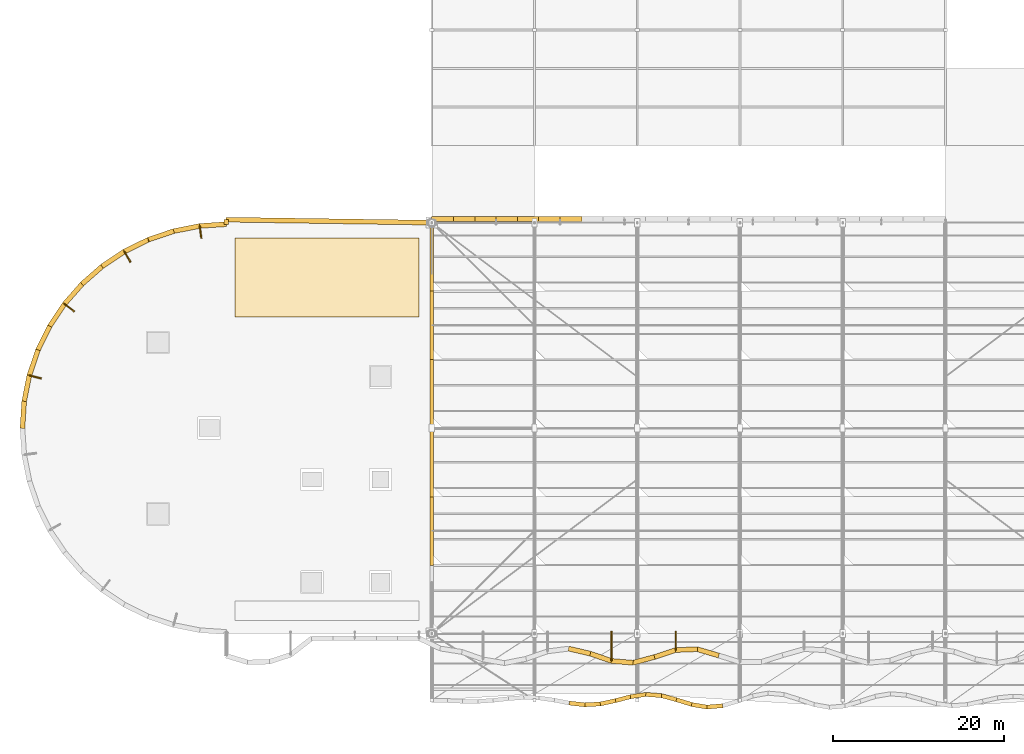
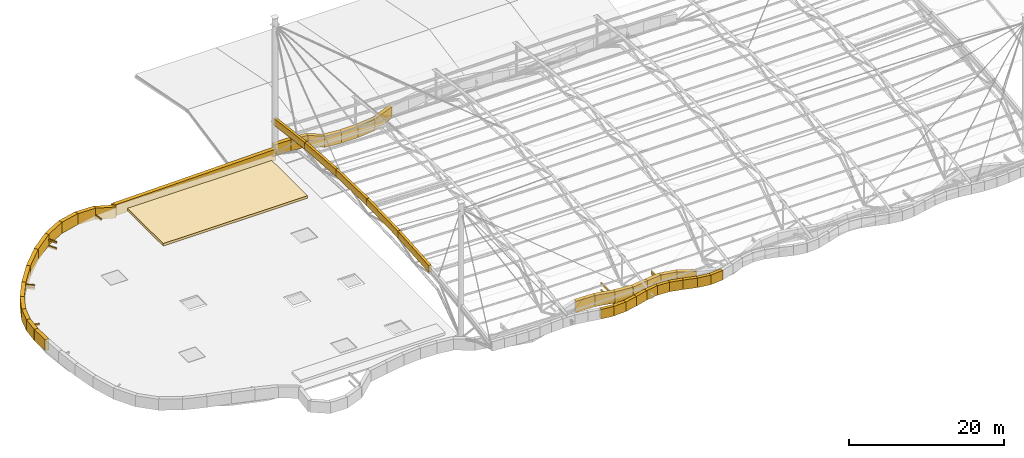
# One storey, part 24 of 29: 54 coverings.
"""IFC4 building model written with IfcOpenShell, lengths in metres."""

import ifcopenshell
import ifcopenshell.guid

model = None  # the IFC model being written
_history = None  # IfcOwnerHistory: only IFC2X3 demands one
_inside = {}  # id of a spatial element -> (the spatial element, [elements in it])
_under = {}  # id of a project, library or spatial element -> (it, [spatial elements below it])
_declared = {}  # id of a project -> (the project, [libraries it declares])
_typed = {}  # id of a type object -> (the type object, [elements of that type])
_made_of = {}  # id of a material, layer set ... -> (it, [elements and type objects made of it])


def new_model(schema):
    """Start an empty IFC model of exactly this schema.

    Asked for "IFC4X3", IfcOpenShell would pick the latest addendum, in which some entities
    have other attributes; the version numbers below select the first issue.
    IFC2X3 requires an IfcOwnerHistory on every rooted entity: one is made here for all.
    """
    global model, _history
    if schema == "IFC4X3":
        model = ifcopenshell.file(schema_version=(4, 3, 0, 0))
    else:
        model = ifcopenshell.file(schema=schema)
    _inside.clear()
    _under.clear()
    _declared.clear()
    _typed.clear()
    _made_of.clear()
    _history = None
    if model.schema == "IFC2X3":
        org = make("IfcOrganization", Name="unknown")
        user = make(
            "IfcPersonAndOrganization",
            ThePerson=make("IfcPerson", FamilyName="unknown"),
            TheOrganization=org,
        )
        app = make(
            "IfcApplication",
            ApplicationDeveloper=org,
            Version="unknown",
            ApplicationFullName="unknown",
            ApplicationIdentifier="unknown",
        )
        _history = make(
            "IfcOwnerHistory",
            OwningUser=user,
            OwningApplication=app,
            ChangeAction="ADDED",
            CreationDate=0,
        )
    return model


def make(cls, **values):
    """One entity of the class cls with the attributes given. An attribute that is None is left unset."""
    return model.create_entity(
        cls, **{name: value for name, value in values.items() if value is not None}
    )


def rooted(cls, **values):
    """An entity with a GlobalId (a new one), such as an element, a storey or a relation."""
    return make(cls, GlobalId=ifcopenshell.guid.new(), OwnerHistory=_history, **values)


def si_unit(unit_type, name, prefix=None):
    """IfcSIUnit, for example si_unit("LENGTHUNIT", "METRE", prefix="MILLI")."""
    return make("IfcSIUnit", UnitType=unit_type, Prefix=prefix, Name=name)


def assignment(units):
    """IfcUnitAssignment: the units of a project."""
    return None if units is None else make("IfcUnitAssignment", Units=units)


def point(xyz):
    """IfcCartesianPoint."""
    return None if xyz is None else make("IfcCartesianPoint", Coordinates=xyz)


def direction(xyz):
    """IfcDirection."""
    return None if xyz is None else make("IfcDirection", DirectionRatios=xyz)


def frame(location, z_axis=None, x_axis=None):
    """IfcAxis2Placement3D, a coordinate frame: its origin and axes. An axis left out is left unset."""
    return make(
        "IfcAxis2Placement3D",
        Location=point(location),
        Axis=direction(z_axis),
        RefDirection=direction(x_axis),
    )


def frame_2d(location, x_axis=None):
    """IfcAxis2Placement2D, a coordinate frame in the plane: its origin and x axis."""
    return make(
        "IfcAxis2Placement2D", Location=point(location), RefDirection=direction(x_axis)
    )


def origin():
    """The frame at (0, 0, 0) with its axes left unset."""
    return frame((0.0, 0.0, 0.0))


def place(relative_to, where):
    """IfcLocalPlacement: puts the frame where relative to a parent placement (None: the world)."""
    return make(
        "IfcLocalPlacement", PlacementRelTo=relative_to, RelativePlacement=where
    )


def context(
    kind, dimensions, precision=None, world=None, true_north=None, identifier=None
):
    """IfcGeometricRepresentationContext, for example the 3D "Model" context."""
    return make(
        "IfcGeometricRepresentationContext",
        ContextIdentifier=identifier,
        ContextType=kind,
        CoordinateSpaceDimension=dimensions,
        Precision=precision,
        WorldCoordinateSystem=world,
        TrueNorth=true_north,
    )


def subcontext(parent, identifier, kind, view, scale=None):
    """IfcGeometricRepresentationSubContext, for example "Body" below "Model"."""
    return make(
        "IfcGeometricRepresentationSubContext",
        ContextIdentifier=identifier,
        ContextType=kind,
        ParentContext=parent,
        TargetScale=scale,
        TargetView=view,
    )


def project(units=None, contexts=None):
    """IfcProject with its units and contexts."""
    return rooted(
        "IfcProject",
        Name="project",
        RepresentationContexts=contexts,
        UnitsInContext=assignment(units),
    )


def spatial(cls, under=None, at=None, **own):
    """A site, building, storey or space (cls), placed at a placement, below another one or the project."""
    s = rooted(cls, ObjectPlacement=at, **own)
    if under is not None:
        _under.setdefault(under.id(), (under, []))[1].append(s)
    return s


def polyline(points):
    """IfcPolyline through the points."""
    return make("IfcPolyline", Points=[point(p) for p in points])


def profile(cls, at=None, kind="AREA", **sizes):
    """A parametric profile (cls). Its sizes go by their IFC names, for example OverallWidth=200.0."""
    return make(cls, ProfileType=kind, Position=at, **sizes)


def rectangle(**sizes):
    """IfcRectangleProfileDef."""
    return profile("IfcRectangleProfileDef", **sizes)


def outline(outer, holes=None, kind="AREA"):
    """IfcArbitraryClosedProfileDef: a profile drawn as a closed curve; with holes, ...WithVoids."""
    if holes is None:
        return make("IfcArbitraryClosedProfileDef", ProfileType=kind, OuterCurve=outer)
    return make(
        "IfcArbitraryProfileDefWithVoids",
        ProfileType=kind,
        OuterCurve=outer,
        InnerCurves=holes,
    )


def extrude(swept, where, along, depth):
    """IfcExtrudedAreaSolid: the profile swept, set in the frame where, extruded along a direction by depth."""
    return make(
        "IfcExtrudedAreaSolid",
        SweptArea=swept,
        Position=where,
        ExtrudedDirection=direction(along),
        Depth=depth,
    )


def shape(context_of_items, identifier, shape_type, items):
    """IfcShapeRepresentation: the items that make up one representation, for example the "Body"."""
    return make(
        "IfcShapeRepresentation",
        ContextOfItems=context_of_items,
        RepresentationIdentifier=identifier,
        RepresentationType=shape_type,
        Items=items,
    )


def material(Name=None, Category=None):
    """IfcMaterial."""
    return make("IfcMaterial", Name=Name, Category=Category)


def layer(
    of_material, thickness, ventilated=None, Name=None, Category=None, Priority=None
):
    """IfcMaterialLayer: one layer of a wall or slab, of a material (None: an air gap)."""
    return make(
        "IfcMaterialLayer",
        Material=of_material,
        LayerThickness=thickness,
        IsVentilated=ventilated,
        Name=Name,
        Category=Category,
        Priority=Priority,
    )


def layer_set(layers, Name=None):
    """IfcMaterialLayerSet."""
    return make("IfcMaterialLayerSet", MaterialLayers=layers, LayerSetName=Name)


def made_of(thing, what):
    """Note that an element or type object is made of a material, layer set ...; save() writes the relation."""
    if what is not None:
        _made_of.setdefault(what.id(), (what, []))[1].append(thing)
    return thing


def type_object(cls, material=None, **own):
    """A type object (cls), such as IfcWallType, which elements share."""
    return made_of(rooted(cls, **own), material)


def element(
    cls,
    number,
    at=None,
    inside=None,
    cuts=None,
    type_object=None,
    material=None,
    context=None,
    identifier="Body",
    shape_type=None,
    held_by="IfcProductDefinitionShape",
    body=None,
    shapes=None,
    **own,
):
    """One element of the class cls, such as IfcWall. Its Tag is "e" and its number.

    at: its placement. inside: the storey or other place that contains it. cuts: it is an
    opening in that element (IfcRelVoidsElement). A single representation is given by context,
    identifier, shape_type and body (its items); several are given by shapes. held_by: the class
    of the entity that holds the representations. save() writes the other relations.
    """
    e = rooted(cls, Tag="e%d" % number, ObjectPlacement=at, **own)
    if body is not None:
        shapes = [shape(context, identifier, shape_type, body)]
    if shapes is not None:
        e.Representation = make(held_by, Representations=shapes)
    if inside is not None:
        _inside.setdefault(inside.id(), (inside, []))[1].append(e)
    if cuts is not None:
        rooted(
            "IfcRelVoidsElement", RelatingBuildingElement=cuts, RelatedOpeningElement=e
        )
    if type_object is not None:
        _typed.setdefault(type_object.id(), (type_object, []))[1].append(e)
    return made_of(e, material)


def aggregate(whole, parts):
    """IfcRelAggregates: a whole, such as a stair, and the parts it consists of."""
    return rooted("IfcRelAggregates", RelatingObject=whole, RelatedObjects=parts)


def save(model, path):
    """Write the relations noted so far, then the file.

    IfcRelAggregates (storeys below a building ...), IfcRelContainedInSpatialStructure (elements
    in a storey), IfcRelDefinesByType, IfcRelAssociatesMaterial and IfcRelDeclares: one each for
    every whole, place, type object, material and project.
    """
    for whole, parts in _under.values():
        aggregate(whole, parts)
    for where, things in _inside.values():
        rooted(
            "IfcRelContainedInSpatialStructure",
            RelatedElements=things,
            RelatingStructure=where,
        )
    for kind, things in _typed.values():
        rooted("IfcRelDefinesByType", RelatedObjects=things, RelatingType=kind)
    for what, things in _made_of.values():
        rooted("IfcRelAssociatesMaterial", RelatedObjects=things, RelatingMaterial=what)
    for by, libraries in _declared.values():
        rooted("IfcRelDeclares", RelatingContext=by, RelatedDefinitions=libraries)
    model.write(path)


model = new_model("IFC4")

# Units and contexts
model_context = context("Model", 3, precision=1e-05, world=origin(), true_north=direction((0.0, 1.0)))
body_context = subcontext(model_context, "Body", "Model", "MODEL_VIEW")
ifc_project = project(units=[si_unit("LENGTHUNIT", "METRE"), si_unit("AREAUNIT", "SQUARE_METRE"), si_unit("VOLUMEUNIT", "CUBIC_METRE"), si_unit("PLANEANGLEUNIT", "RADIAN"), si_unit("MASSUNIT", "GRAM", prefix="KILO")], contexts=[model_context])

# Site, building, storey
site_placement = place(None, origin())
site = spatial("IfcSite", under=ifc_project, at=site_placement, CompositionType="ELEMENT")
building_placement = place(site_placement, origin())
building = spatial("IfcBuilding", under=site, at=building_placement, Name="Keelwater Ferry Terminal", CompositionType="ELEMENT")
storey_placement = place(building_placement, frame((0.0, 0.0, 27.89990234375)))
storey = spatial("IfcBuildingStorey", under=building, at=storey_placement, Name="RF", CompositionType="ELEMENT", Elevation=27.89990234375)

# Coverings
ifc_material_1 = material(Name="Planted sedum green roof substrate", Category="earth")
ifc_layer_1 = layer(ifc_material_1, 0.39990234375)
ifc_layer_set_1 = layer_set([ifc_layer_1], Name="Planted sedum green roof substrate")
covering_type_1 = type_object("IfcCoveringType", Name="GR-BED Planted Green Roof Bed", PredefinedType="ROOFING", material=ifc_layer_set_1)
covering_1_placement = place(storey_placement, frame((0.0, 0.0, -12.89990234375)))
element("IfcCovering", 1, at=covering_1_placement, inside=storey, type_object=covering_type_1, Name="Planted Green Roof Bed 2", PredefinedType="ROOFING", context=body_context, shape_type="SweptSolid", body=[
    extrude(outline(polyline([(25.0, 79.0), (46.5, 79.0), (46.5, 88.199951171875), (25.0, 88.199951171875), (25.0, 79.0)])), origin(), (0.0, 0.0, 1.0), 0.39990234375),
])
ifc_material_2 = material(Name="Matte white architectural aluminium fascia ribbon", Category="aluminium")
ifc_layer_2 = layer(ifc_material_2, 0.1201171875)
ifc_layer_set_2 = layer_set([ifc_layer_2], Name="Matte white architectural aluminium fascia ribbon")
covering_type_2 = type_object("IfcCoveringType", Name="RB-WHT Matte White Fascia Ribbon", PredefinedType="CLADDING", material=ifc_layer_set_2)
covering_2_placement = place(storey_placement, frame((65.52490234375, 90.419921875, -14.704833984375), z_axis=(0.0, 0.0, 1.0), x_axis=(-1.0, 0.0, 0.0)))
element("IfcCovering", 2, at=covering_2_placement, inside=storey, type_object=covering_type_2, Name="Overhanging Roof-Edge Wave Fascia Ribbon 114", PredefinedType="CLADDING", context=body_context, shape_type="SweptSolid", body=[
    extrude(outline(polyline([(0.0, 1.054931640625), (2.5498046875, 0.0), (2.5498046875, 1.75), (0.0, 2.804931640625), (0.0, 1.054931640625)])), frame((0.0, 0.280029296875, 0.0), z_axis=(0.0, -1.0, 0.0), x_axis=(1.0, 0.0, 0.0)), (0.0, 0.0, 1.0), 0.56005859375),
])
covering_3_placement = place(storey_placement, frame((63.02490234375, 90.419921875, -14.9658203125), z_axis=(0.0, 0.0, 1.0), x_axis=(-1.0, 0.0, 0.0)))
element("IfcCovering", 3, at=covering_3_placement, inside=storey, type_object=covering_type_2, Name="Overhanging Roof-Edge Wave Fascia Ribbon 118", PredefinedType="CLADDING", context=body_context, shape_type="SweptSolid", body=[
    extrude(outline(polyline([(0.0, 0.260986328125), (2.5498046875, 0.0), (2.5498046875, 1.75), (0.0, 2.010986328125), (0.0, 0.260986328125)])), frame((0.0, 0.280029296875, 0.0), z_axis=(0.0, -1.0, 0.0), x_axis=(1.0, 0.0, 0.0)), (0.0, 0.0, 1.0), 0.56005859375),
])
covering_4_placement = place(storey_placement, frame((60.52490234375, 90.419921875, -14.992919921875), z_axis=(0.0, 0.0, 1.0), x_axis=(-1.0, 0.0, 0.0)))
element("IfcCovering", 4, at=covering_4_placement, inside=storey, type_object=covering_type_2, Name="Overhanging Roof-Edge Wave Fascia Ribbon 129", PredefinedType="CLADDING", context=body_context, shape_type="SweptSolid", body=[
    extrude(outline(polyline([(0.0, 0.027099609375), (2.5498046875, 0.0), (2.5498046875, 1.75), (0.0, 1.777099609375), (0.0, 0.027099609375)])), frame((0.0, 0.280029296875, 0.0), z_axis=(0.0, -1.0, 0.0), x_axis=(1.0, 0.0, 0.0)), (0.0, 0.0, 1.0), 0.56005859375),
])
covering_5_placement = place(storey_placement, frame((58.02490234375, 90.419921875, -14.992919921875), z_axis=(0.0, 0.0, 1.0), x_axis=(-1.0, 0.0, 0.0)))
element("IfcCovering", 5, at=covering_5_placement, inside=storey, type_object=covering_type_2, Name="Overhanging Roof-Edge Wave Fascia Ribbon 133", PredefinedType="CLADDING", context=body_context, shape_type="SweptSolid", body=[
    extrude(outline(polyline([(0.0, 0.0), (2.5498046875, 0.213134765625), (2.5498046875, 1.963134765625), (0.0, 1.75), (0.0, 0.0)])), frame((0.0, 0.280029296875, 0.0), z_axis=(0.0, -1.0, 0.0), x_axis=(1.0, 0.0, 0.0)), (0.0, 0.0, 1.0), 0.56005859375),
])
covering_6_placement = place(storey_placement, frame((55.52490234375, 90.419921875, -14.77978515625), z_axis=(0.0, 0.0, 1.0), x_axis=(-1.0, 0.0, 0.0)))
element("IfcCovering", 6, at=covering_6_placement, inside=storey, type_object=covering_type_2, Name="Overhanging Roof-Edge Wave Fascia Ribbon 137", PredefinedType="CLADDING", context=body_context, shape_type="SweptSolid", body=[
    extrude(outline(polyline([(0.0, 0.0), (2.5498046875, 1.0048828125), (2.5498046875, 2.7548828125), (0.0, 1.75), (0.0, 0.0)])), frame((0.0, 0.280029296875, 0.0), z_axis=(0.0, -1.0, 0.0), x_axis=(1.0, 0.0, 0.0)), (0.0, 0.0, 1.0), 0.56005859375),
])
covering_7_placement = place(storey_placement, frame((53.02490234375, 90.419921875, -13.77490234375), z_axis=(0.0, 0.0, 1.0), x_axis=(-1.0, 0.0, 0.0)))
element("IfcCovering", 7, at=covering_7_placement, inside=storey, type_object=covering_type_2, Name="Overhanging Roof-Edge Wave Fascia Ribbon 149", PredefinedType="CLADDING", context=body_context, shape_type="SweptSolid", body=[
    extrude(outline(polyline([(0.0, 0.0), (2.5498046875, 0.2041015625), (2.5498046875, 1.9541015625), (0.0, 1.75), (0.0, 0.0)])), frame((0.0, 0.280029296875, 0.0), z_axis=(0.0, -1.0, 0.0), x_axis=(1.0, 0.0, 0.0)), (0.0, 0.0, 1.0), 0.56005859375),
])
covering_8_placement = place(storey_placement, frame((50.52490234375, 90.419921875, -13.57080078125), z_axis=(0.0, 0.0, 1.0), x_axis=(-1.0, 0.0, 0.0)))
element("IfcCovering", 8, at=covering_8_placement, inside=storey, type_object=covering_type_2, Name="Overhanging Roof-Edge Wave Fascia Ribbon 153", PredefinedType="CLADDING", context=body_context, shape_type="SweptSolid", body=[
    extrude(outline(polyline([(0.0, 0.0), (2.5498046875, 0.031982421875), (2.5498046875, 1.781982421875), (0.0, 1.75), (0.0, 0.0)])), frame((0.0, 0.280029296875, 0.0), z_axis=(0.0, -1.0, 0.0), x_axis=(1.0, 0.0, 0.0)), (0.0, 0.0, 1.0), 0.56005859375),
])
covering_9_placement = place(storey_placement, frame((48.02490234375, 90.0, -14.621826171875), z_axis=(0.0, 0.0, 1.0), x_axis=(-0.999894060898, 0.014555651148, 0.0)))
element("IfcCovering", 9, at=covering_9_placement, inside=storey, type_object=covering_type_2, Name="Overhanging Roof-Edge Wave Fascia Ribbon 154", PredefinedType="CLADDING", context=body_context, shape_type="SweptSolid", body=[
    extrude(outline(polyline([(0.0, 0.7109375), (24.05224609375, 0.0), (24.05224609375, 1.75), (0.0, 2.4609375), (0.0, 0.7109375)])), frame((0.0, 0.280029296875, 0.0), z_axis=(0.0, -1.0, 0.0), x_axis=(1.0, 0.0, 0.0)), (0.0, 0.0, 1.0), 0.56005859375),
])
covering_10_placement = place(storey_placement, frame((24.0, 90.375, -14.621826171875), z_axis=(0.0, 0.0, 1.0), x_axis=(0.0, -1.0, 0.0)))
element("IfcCovering", 10, at=covering_10_placement, inside=storey, type_object=covering_type_2, Name="Overhanging Roof-Edge Wave Fascia Ribbon 158", PredefinedType="CLADDING", context=body_context, shape_type="SweptSolid", body=[
    extrude(outline(polyline([(0.0, 0.0), (0.580078125, 0.075927734375), (0.580078125, 1.825927734375), (0.0, 1.75), (0.0, 0.0)])), frame((0.0, 0.280029296875, 0.0), z_axis=(0.0, -1.0, 0.0), x_axis=(1.0, 0.0, 0.0)), (0.0, 0.0, 1.0), 0.56005859375),
])
covering_11_placement = place(storey_placement, frame((24.02490234375, 89.822021484375, -14.5458984375), z_axis=(0.0, 0.0, 1.0), x_axis=(-0.997839082041, -0.065705147067, 0.0)))
element("IfcCovering", 11, at=covering_11_placement, inside=storey, type_object=covering_type_2, Name="Overhanging Roof-Edge Wave Fascia Ribbon 162", PredefinedType="CLADDING", context=body_context, shape_type="SweptSolid", body=[
    extrude(outline(polyline([(0.0, 0.0), (3.165771484375, 1.029052734375), (3.165771484375, 2.779052734375), (0.0, 1.75), (0.0, 0.0)])), frame((0.0, 0.280029296875, 0.0), z_axis=(0.0, -1.0, 0.0), x_axis=(1.0, 0.0, 0.0)), (0.0, 0.0, 1.0), 0.56005859375),
])
covering_12_placement = place(storey_placement, frame((20.916015625, 89.62109375, -13.516845703125), z_axis=(0.0, 0.0, 1.0), x_axis=(-0.98076407959, -0.195196875454, 0.0)))
element("IfcCovering", 12, at=covering_12_placement, inside=storey, type_object=covering_type_2, Name="Overhanging Roof-Edge Wave Fascia Ribbon 166", PredefinedType="CLADDING", context=body_context, shape_type="SweptSolid", body=[
    extrude(outline(polyline([(0.0, 0.0), (3.1669921875, 0.557861328125), (3.1669921875, 2.307861328125), (0.0, 1.75), (0.0, 0.0)])), frame((0.0, 0.280029296875, 0.0), z_axis=(0.0, -1.0, 0.0), x_axis=(1.0, 0.0, 0.0)), (0.0, 0.0, 1.0), 0.56005859375),
])
covering_13_placement = place(storey_placement, frame((20.89111328125, 89.615966796875, -13.119873046875), z_axis=(0.0, 0.0, 1.0), x_axis=(0.130289043397, -0.991476053756, 0.0)))
element("IfcCovering", 13, at=covering_13_placement, inside=storey, type_object=covering_type_2, Name="Ribbon Roof Eave Tie Bracket 172", PredefinedType="CLADDING", context=body_context, shape_type="SweptSolid", body=[
    extrude(rectangle(XDim=1.450439453125, YDim=0.159912109375, at=frame_2d((0.72509765625, 0.0))), origin(), (0.0, 0.0, 1.0), 0.340087890625),
])
covering_14_placement = place(storey_placement, frame((17.85888671875, 89.01611328125, -12.958984375), z_axis=(0.0, 0.0, 1.0), x_axis=(-0.94701262585, -0.321196336342, 0.0)))
element("IfcCovering", 14, at=covering_14_placement, inside=storey, type_object=covering_type_2, Name="Overhanging Roof-Edge Wave Fascia Ribbon 177", PredefinedType="CLADDING", context=body_context, shape_type="SweptSolid", body=[
    extrude(outline(polyline([(0.0, 0.0), (3.16650390625, 0.273193359375), (3.16650390625, 2.023193359375), (0.0, 1.75), (0.0, 0.0)])), frame((0.0, 0.280029296875, 0.0), z_axis=(0.0, -1.0, 0.0), x_axis=(1.0, 0.0, 0.0)), (0.0, 0.0, 1.0), 0.56005859375),
])
covering_15_placement = place(storey_placement, frame((14.906005859375, 88.01806640625, -12.785888671875), z_axis=(0.0, 0.0, 1.0), x_axis=(-0.896790782987, -0.442454846905, 0.0)))
element("IfcCovering", 15, at=covering_15_placement, inside=storey, type_object=covering_type_2, Name="Overhanging Roof-Edge Wave Fascia Ribbon 181", PredefinedType="CLADDING", context=body_context, shape_type="SweptSolid", body=[
    extrude(outline(polyline([(0.0, 0.10009765625), (3.16455078125, 0.0), (3.16455078125, 1.75), (0.0, 1.85009765625), (0.0, 0.10009765625)])), frame((0.0, 0.280029296875, 0.0), z_axis=(0.0, -1.0, 0.0), x_axis=(1.0, 0.0, 0.0)), (0.0, 0.0, 1.0), 0.56005859375),
])
covering_16_placement = place(storey_placement, frame((12.111083984375, 86.64306640625, -13.21484375), z_axis=(0.0, 0.0, 1.0), x_axis=(-0.831516144614, -0.55550058618, 0.0)))
element("IfcCovering", 16, at=covering_16_placement, inside=storey, type_object=covering_type_2, Name="Overhanging Roof-Edge Wave Fascia Ribbon 185", PredefinedType="CLADDING", context=body_context, shape_type="SweptSolid", body=[
    extrude(outline(polyline([(0.0, 0.428955078125), (3.16650390625, 0.0), (3.16650390625, 1.75), (0.0, 2.178955078125), (0.0, 0.428955078125)])), frame((0.0, 0.280029296875, 0.0), z_axis=(0.0, -1.0, 0.0), x_axis=(1.0, 0.0, 0.0)), (0.0, 0.0, 1.0), 0.56005859375),
])
covering_17_placement = place(storey_placement, frame((12.090087890625, 86.62890625, -12.05078125), z_axis=(0.0, 0.0, 1.0), x_axis=(0.499887636653, -0.866090267075, 0.0)))
element("IfcCovering", 17, at=covering_17_placement, inside=storey, type_object=covering_type_2, Name="Ribbon Horizontal Tie Bracket 188", PredefinedType="CLADDING", context=body_context, shape_type="SweptSolid", body=[
    extrude(rectangle(XDim=1.449951171875, YDim=0.159912109375, at=frame_2d((0.72509765625, 0.0))), origin(), (0.0, 0.0, 1.0), 0.27978515625),
])
covering_18_placement = place(storey_placement, frame((12.090087890625, 86.62890625, -13.119873046875), z_axis=(0.0, 0.0, 1.0), x_axis=(0.499887636653, -0.866090267075, 0.0)))
element("IfcCovering", 18, at=covering_18_placement, inside=storey, type_object=covering_type_2, Name="Ribbon Roof Eave Tie Bracket 191", PredefinedType="CLADDING", context=body_context, shape_type="SweptSolid", body=[
    extrude(rectangle(XDim=1.449951171875, YDim=0.159912109375, at=frame_2d((0.72509765625, 0.0))), origin(), (0.0, 0.0, 1.0), 0.340087890625),
])
covering_19_placement = place(storey_placement, frame((9.51806640625, 84.9140625, -13.781005859375), z_axis=(0.0, 0.0, 1.0), x_axis=(-0.75186441018, -0.65931776004, 0.0)))
element("IfcCovering", 19, at=covering_19_placement, inside=storey, type_object=covering_type_2, Name="Overhanging Roof-Edge Wave Fascia Ribbon 196", PredefinedType="CLADDING", context=body_context, shape_type="SweptSolid", body=[
    extrude(outline(polyline([(0.0, 0.566162109375), (3.16552734375, 0.0), (3.16552734375, 1.75), (0.0, 2.316162109375), (0.0, 0.566162109375)])), frame((0.0, 0.280029296875, 0.0), z_axis=(0.0, -1.0, 0.0), x_axis=(1.0, 0.0, 0.0)), (0.0, 0.0, 1.0), 0.56005859375),
])
covering_20_placement = place(storey_placement, frame((7.173095703125, 82.862060546875, -14.23388671875), z_axis=(0.0, 0.0, 1.0), x_axis=(-0.65931776004, -0.75186441018, 0.0)))
element("IfcCovering", 20, at=covering_20_placement, inside=storey, type_object=covering_type_2, Name="Overhanging Roof-Edge Wave Fascia Ribbon 200", PredefinedType="CLADDING", context=body_context, shape_type="SweptSolid", body=[
    extrude(outline(polyline([(0.0, 0.452880859375), (3.16552734375, 0.0), (3.16552734375, 1.75), (0.0, 2.202880859375), (0.0, 0.452880859375)])), frame((0.0, 0.280029296875, 0.0), z_axis=(0.0, -1.0, 0.0), x_axis=(1.0, 0.0, 0.0)), (0.0, 0.0, 1.0), 0.56005859375),
])
covering_21_placement = place(storey_placement, frame((5.115966796875, 80.52197265625, -14.370849609375), z_axis=(0.0, 0.0, 1.0), x_axis=(-0.55550058618, -0.831516144614, 0.0)))
element("IfcCovering", 21, at=covering_21_placement, inside=storey, type_object=covering_type_2, Name="Overhanging Roof-Edge Wave Fascia Ribbon 204", PredefinedType="CLADDING", context=body_context, shape_type="SweptSolid", body=[
    extrude(outline(polyline([(0.0, 0.136962890625), (3.16650390625, 0.0), (3.16650390625, 1.75), (0.0, 1.886962890625), (0.0, 0.136962890625)])), frame((0.0, 0.280029296875, 0.0), z_axis=(0.0, -1.0, 0.0), x_axis=(1.0, 0.0, 0.0)), (0.0, 0.0, 1.0), 0.56005859375),
])
covering_22_placement = place(storey_placement, frame((5.10205078125, 80.5009765625, -13.4990234375), z_axis=(0.0, 0.0, 1.0), x_axis=(0.793118257484, -0.609067672467, 0.0)))
element("IfcCovering", 22, at=covering_22_placement, inside=storey, type_object=covering_type_2, Name="Ribbon Horizontal Tie Bracket 208", PredefinedType="CLADDING", context=body_context, shape_type="SweptSolid", body=[
    extrude(rectangle(XDim=1.449951171875, YDim=0.159912109375, at=frame_2d((0.72509765625, 0.0))), origin(), (0.0, 0.0, 1.0), 0.280029296875),
])
covering_23_placement = place(storey_placement, frame((5.10205078125, 80.5009765625, -13.119873046875), z_axis=(0.0, 0.0, 1.0), x_axis=(0.793118257484, -0.609067672467, 0.0)))
element("IfcCovering", 23, at=covering_23_placement, inside=storey, type_object=covering_type_2, Name="Ribbon Roof Eave Tie Bracket 211", PredefinedType="CLADDING", context=body_context, shape_type="SweptSolid", body=[
    extrude(rectangle(XDim=1.449951171875, YDim=0.159912109375, at=frame_2d((0.72509765625, 0.0))), origin(), (0.0, 0.0, 1.0), 0.340087890625),
])
covering_24_placement = place(storey_placement, frame((3.382080078125, 77.931884765625, -14.370849609375), z_axis=(0.0, 0.0, 1.0), x_axis=(-0.442454846905, -0.896790782987, 0.0)))
element("IfcCovering", 24, at=covering_24_placement, inside=storey, type_object=covering_type_2, Name="Overhanging Roof-Edge Wave Fascia Ribbon 216", PredefinedType="CLADDING", context=body_context, shape_type="SweptSolid", body=[
    extrude(outline(polyline([(0.0, 0.0), (3.16455078125, 0.238037109375), (3.16455078125, 1.988037109375), (0.0, 1.75), (0.0, 0.0)])), frame((0.0, 0.280029296875, 0.0), z_axis=(0.0, -1.0, 0.0), x_axis=(1.0, 0.0, 0.0)), (0.0, 0.0, 1.0), 0.56005859375),
])
covering_25_placement = place(storey_placement, frame((2.0009765625, 75.139892578125, -14.1328125), z_axis=(0.0, 0.0, 1.0), x_axis=(-0.321196336342, -0.94701262585, 0.0)))
element("IfcCovering", 25, at=covering_25_placement, inside=storey, type_object=covering_type_2, Name="Overhanging Roof-Edge Wave Fascia Ribbon 220", PredefinedType="CLADDING", context=body_context, shape_type="SweptSolid", body=[
    extrude(outline(polyline([(0.0, 0.0), (3.16650390625, 0.5087890625), (3.16650390625, 2.2587890625), (0.0, 1.75), (0.0, 0.0)])), frame((0.0, 0.280029296875, 0.0), z_axis=(0.0, -1.0, 0.0), x_axis=(1.0, 0.0, 0.0)), (0.0, 0.0, 1.0), 0.56005859375),
])
covering_26_placement = place(storey_placement, frame((0.9970703125, 72.18994140625, -13.6240234375), z_axis=(0.0, 0.0, 1.0), x_axis=(-0.195196875454, -0.98076407959, 0.0)))
element("IfcCovering", 26, at=covering_26_placement, inside=storey, type_object=covering_type_2, Name="Overhanging Roof-Edge Wave Fascia Ribbon 224", PredefinedType="CLADDING", context=body_context, shape_type="SweptSolid", body=[
    extrude(outline(polyline([(0.0, 0.0), (3.1669921875, 0.55322265625), (3.1669921875, 2.30322265625), (0.0, 1.75), (0.0, 0.0)])), frame((0.0, 0.280029296875, 0.0), z_axis=(0.0, -1.0, 0.0), x_axis=(1.0, 0.0, 0.0)), (0.0, 0.0, 1.0), 0.56005859375),
])
covering_27_placement = place(storey_placement, frame((0.991943359375, 72.1650390625, -13.119873046875), z_axis=(0.0, 0.0, 1.0), x_axis=(0.965999865875, -0.258542567344, 0.0)))
element("IfcCovering", 27, at=covering_27_placement, inside=storey, type_object=covering_type_2, Name="Ribbon Roof Eave Tie Bracket 229", PredefinedType="CLADDING", context=body_context, shape_type="SweptSolid", body=[
    extrude(rectangle(XDim=1.450439453125, YDim=0.159912109375, at=frame_2d((0.72509765625, 0.0))), origin(), (0.0, 0.0, 1.0), 0.340087890625),
])
covering_28_placement = place(storey_placement, frame((0.385986328125, 69.134033203125, -13.07080078125), z_axis=(0.0, 0.0, 1.0), x_axis=(-0.065705147067, -0.997839082041, 0.0)))
element("IfcCovering", 28, at=covering_28_placement, inside=storey, type_object=covering_type_2, Name="Overhanging Roof-Edge Wave Fascia Ribbon 234", PredefinedType="CLADDING", context=body_context, shape_type="SweptSolid", body=[
    extrude(outline(polyline([(0.0, 0.0), (3.165771484375, 0.350830078125), (3.165771484375, 2.100830078125), (0.0, 1.75), (0.0, 0.0)])), frame((0.0, 0.280029296875, 0.0), z_axis=(0.0, -1.0, 0.0), x_axis=(1.0, 0.0, 0.0)), (0.0, 0.0, 1.0), 0.56005859375),
])
covering_29_placement = place(storey_placement, frame((63.97607421875, 40.242919921875, -13.326904296875), z_axis=(0.0, 0.0, 1.0), x_axis=(0.973966350755, -0.226692628017, 0.0)))
element("IfcCovering", 29, at=covering_29_placement, inside=storey, type_object=covering_type_2, Name="Overhanging Roof-Edge Wave Fascia Ribbon 390", PredefinedType="CLADDING", context=body_context, shape_type="SweptSolid", body=[
    extrude(outline(polyline([(0.0, 0.0), (2.615966796875, 0.408935546875), (2.615966796875, 2.158935546875), (0.0, 1.75), (0.0, 0.0)])), frame((0.0, 0.280029296875, 0.0), z_axis=(0.0, -1.0, 0.0), x_axis=(1.0, 0.0, 0.0)), (0.0, 0.0, 1.0), 0.56005859375),
])
covering_30_placement = place(storey_placement, frame((66.47607421875, 39.6640625, -12.91796875), z_axis=(0.0, 0.0, 1.0), x_axis=(0.946003140815, -0.324157457987, 0.0)))
element("IfcCovering", 30, at=covering_30_placement, inside=storey, type_object=covering_type_2, Name="Overhanging Roof-Edge Wave Fascia Ribbon 394", PredefinedType="CLADDING", context=body_context, shape_type="SweptSolid", body=[
    extrude(outline(polyline([(0.0, 0.0), (2.693359375, 0.22607421875), (2.693359375, 1.97607421875), (0.0, 1.75), (0.0, 0.0)])), frame((0.0, 0.280029296875, 0.0), z_axis=(0.0, -1.0, 0.0), x_axis=(1.0, 0.0, 0.0)), (0.0, 0.0, 1.0), 0.56005859375),
])
covering_31_placement = place(storey_placement, frame((68.97509765625, 38.801025390625, -12.725830078125), z_axis=(0.0, 0.0, 1.0), x_axis=(0.9964929164, -0.083677162743, 0.0)))
element("IfcCovering", 31, at=covering_31_placement, inside=storey, type_object=covering_type_2, Name="Overhanging Roof-Edge Wave Fascia Ribbon 398", PredefinedType="CLADDING", context=body_context, shape_type="SweptSolid", body=[
    extrude(outline(polyline([(0.0, 0.033935546875), (2.558837890625, 0.0), (2.558837890625, 1.75), (0.0, 1.783935546875), (0.0, 0.033935546875)])), frame((0.0, 0.280029296875, 0.0), z_axis=(0.0, -1.0, 0.0), x_axis=(1.0, 0.0, 0.0)), (0.0, 0.0, 1.0), 0.56005859375),
])
covering_32_placement = place(storey_placement, frame((69.0, 38.799072265625, -11.956787109375), z_axis=(0.0, 0.0, 1.0), x_axis=(0.0, 1.0, 0.0)))
element("IfcCovering", 32, at=covering_32_placement, inside=storey, type_object=covering_type_2, Name="Ribbon Horizontal Tie Bracket 402", PredefinedType="CLADDING", context=body_context, shape_type="SweptSolid", body=[
    extrude(rectangle(XDim=3.450927734375, YDim=0.159912109375, at=frame_2d((1.7255859375, 0.0))), origin(), (0.0, 0.0, 1.0), 0.27978515625),
])
covering_33_placement = place(storey_placement, frame((69.0, 38.799072265625, -13.119873046875), z_axis=(0.0, 0.0, 1.0), x_axis=(0.0, 1.0, 0.0)))
element("IfcCovering", 33, at=covering_33_placement, inside=storey, type_object=covering_type_2, Name="Ribbon Roof Eave Tie Bracket 405", PredefinedType="CLADDING", context=body_context, shape_type="SweptSolid", body=[
    extrude(rectangle(XDim=3.450927734375, YDim=0.159912109375, at=frame_2d((1.7255859375, 0.0))), origin(), (0.0, 0.0, 1.0), 0.340087890625),
])
covering_34_placement = place(storey_placement, frame((71.47607421875, 38.5830078125, -13.0048828125), z_axis=(0.0, 0.0, 1.0), x_axis=(0.966647246159, 0.256111502073, 0.0)))
element("IfcCovering", 34, at=covering_34_placement, inside=storey, type_object=covering_type_2, Name="Overhanging Roof-Edge Wave Fascia Ribbon 410", PredefinedType="CLADDING", context=body_context, shape_type="SweptSolid", body=[
    extrude(outline(polyline([(0.0, 0.279052734375), (2.6357421875, 0.0), (2.6357421875, 1.75), (0.0, 2.029052734375), (0.0, 0.279052734375)])), frame((0.0, 0.280029296875, 0.0), z_axis=(0.0, -1.0, 0.0), x_axis=(1.0, 0.0, 0.0)), (0.0, 0.0, 1.0), 0.56005859375),
])
covering_35_placement = place(storey_placement, frame((73.97607421875, 39.243896484375, -13.453857421875), z_axis=(0.0, 0.0, 1.0), x_axis=(0.949922945862, 0.312484234682, 0.0)))
element("IfcCovering", 35, at=covering_35_placement, inside=storey, type_object=covering_type_2, Name="Overhanging Roof-Edge Wave Fascia Ribbon 413", PredefinedType="CLADDING", context=body_context, shape_type="SweptSolid", body=[
    extrude(outline(polyline([(0.0, 0.448974609375), (2.68212890625, 0.0), (2.68212890625, 1.75), (0.0, 2.198974609375), (0.0, 0.448974609375)])), frame((0.0, 0.280029296875, 0.0), z_axis=(0.0, -1.0, 0.0), x_axis=(1.0, 0.0, 0.0)), (0.0, 0.0, 1.0), 0.56005859375),
])
covering_36_placement = place(storey_placement, frame((76.47509765625, 40.072998046875, -13.90380859375), z_axis=(0.0, 0.0, 1.0), x_axis=(0.999263716325, 0.038366981065, 0.0)))
element("IfcCovering", 36, at=covering_36_placement, inside=storey, type_object=covering_type_2, Name="Overhanging Roof-Edge Wave Fascia Ribbon 416", PredefinedType="CLADDING", context=body_context, shape_type="SweptSolid", body=[
    extrude(outline(polyline([(0.0, 0.449951171875), (2.5517578125, 0.0), (2.5517578125, 1.75), (0.0, 2.199951171875), (0.0, 0.449951171875)])), frame((0.0, 0.280029296875, 0.0), z_axis=(0.0, -1.0, 0.0), x_axis=(1.0, 0.0, 0.0)), (0.0, 0.0, 1.0), 0.56005859375),
])
covering_37_placement = place(storey_placement, frame((76.5, 40.073974609375, -12.718994140625), z_axis=(0.0, 0.0, 1.0), x_axis=(0.0, 1.0, 0.0)))
element("IfcCovering", 37, at=covering_37_placement, inside=storey, type_object=covering_type_2, Name="Ribbon Horizontal Tie Bracket 420", PredefinedType="CLADDING", context=body_context, shape_type="SweptSolid", body=[
    extrude(rectangle(XDim=2.176025390625, YDim=0.159912109375, at=frame_2d((1.087890625, 0.0))), origin(), (0.0, 0.0, 1.0), 0.280029296875),
])
covering_38_placement = place(storey_placement, frame((76.5, 40.073974609375, -13.119873046875), z_axis=(0.0, 0.0, 1.0), x_axis=(0.0, 1.0, 0.0)))
element("IfcCovering", 38, at=covering_38_placement, inside=storey, type_object=covering_type_2, Name="Ribbon Roof Eave Tie Bracket 423", PredefinedType="CLADDING", context=body_context, shape_type="SweptSolid", body=[
    extrude(rectangle(XDim=2.176025390625, YDim=0.159912109375, at=frame_2d((1.087890625, 0.0))), origin(), (0.0, 0.0, 1.0), 0.340087890625),
])
covering_39_placement = place(storey_placement, frame((78.97607421875, 40.177001953125, -14.25390625), z_axis=(0.0, 0.0, 1.0), x_axis=(0.959599440687, -0.281369709515, 0.0)))
element("IfcCovering", 39, at=covering_39_placement, inside=storey, type_object=covering_type_2, Name="Overhanging Roof-Edge Wave Fascia Ribbon 428", PredefinedType="CLADDING", context=body_context, shape_type="SweptSolid", body=[
    extrude(outline(polyline([(0.0, 0.35009765625), (2.655029296875, 0.0), (2.655029296875, 1.75), (0.0, 2.10009765625), (0.0, 0.35009765625)])), frame((0.0, 0.280029296875, 0.0), z_axis=(0.0, -1.0, 0.0), x_axis=(1.0, 0.0, 0.0)), (0.0, 0.0, 1.0), 0.56005859375),
])
covering_40_placement = place(storey_placement, frame((64.06005859375, 33.8798828125, -10.56591796875), z_axis=(0.0, 0.0, 1.0), x_axis=(0.993590431167, -0.113040059686, 0.0)))
element("IfcCovering", 40, at=covering_40_placement, inside=storey, type_object=covering_type_2, Name="Concourse Saddle Overhanging Wave Eave Ribbon 780", PredefinedType="CLADDING", context=body_context, shape_type="SweptSolid", body=[
    extrude(outline(polyline([(0.0, 0.00390625), (1.848876953125, 0.0), (1.848876953125, 1.5), (0.0, 1.50390625), (0.0, 0.00390625)])), frame((0.0, 0.239990234375, 0.0), z_axis=(0.0, -1.0, 0.0), x_axis=(1.0, 0.0, 0.0)), (0.0, 0.0, 1.0), 0.47998046875),
])
covering_41_placement = place(storey_placement, frame((65.846923828125, 33.673095703125, -10.56591796875), z_axis=(0.0, 0.0, 1.0), x_axis=(0.998498875335, 0.054772218822, 0.0)))
element("IfcCovering", 41, at=covering_41_placement, inside=storey, type_object=covering_type_2, Name="Concourse Saddle Overhanging Wave Eave Ribbon 781", PredefinedType="CLADDING", context=body_context, shape_type="SweptSolid", body=[
    extrude(outline(polyline([(0.0, 0.0), (1.8408203125, 0.001953125), (1.8408203125, 1.501953125), (0.0, 1.5), (0.0, 0.0)])), frame((0.0, 0.239990234375, 0.0), z_axis=(0.0, -1.0, 0.0), x_axis=(1.0, 0.0, 0.0)), (0.0, 0.0, 1.0), 0.47998046875),
])
covering_42_placement = place(storey_placement, frame((67.635986328125, 33.76806640625, -10.56396484375), z_axis=(0.0, 0.0, 1.0), x_axis=(0.977496861291, 0.210949961284, 0.0)))
element("IfcCovering", 42, at=covering_42_placement, inside=storey, type_object=covering_type_2, Name="Concourse Saddle Overhanging Wave Eave Ribbon 782", PredefinedType="CLADDING", context=body_context, shape_type="SweptSolid", body=[
    extrude(outline(polyline([(0.0, 0.0), (1.877197265625, 0.005126953125), (1.877197265625, 1.505126953125), (0.0, 1.5), (0.0, 0.0)])), frame((0.0, 0.239990234375, 0.0), z_axis=(0.0, -1.0, 0.0), x_axis=(1.0, 0.0, 0.0)), (0.0, 0.0, 1.0), 0.47998046875),
])
covering_43_placement = place(storey_placement, frame((69.423095703125, 34.153076171875, -10.558837890625), z_axis=(0.0, 0.0, 1.0), x_axis=(0.967701989231, 0.25209692588, 0.0)))
element("IfcCovering", 43, at=covering_43_placement, inside=storey, type_object=covering_type_2, Name="Concourse Saddle Overhanging Wave Eave Ribbon 783", PredefinedType="CLADDING", context=body_context, shape_type="SweptSolid", body=[
    extrude(outline(polyline([(0.0, 0.0), (1.896240234375, 0.009033203125), (1.896240234375, 1.509033203125), (0.0, 1.5), (0.0, 0.0)])), frame((0.0, 0.239990234375, 0.0), z_axis=(0.0, -1.0, 0.0), x_axis=(1.0, 0.0, 0.0)), (0.0, 0.0, 1.0), 0.47998046875),
])
covering_44_placement = place(storey_placement, frame((71.208984375, 34.62109375, -10.5498046875), z_axis=(0.0, 0.0, 1.0), x_axis=(0.989761832943, 0.142728812964, 0.0)))
element("IfcCovering", 44, at=covering_44_placement, inside=storey, type_object=covering_type_2, Name="Concourse Saddle Overhanging Wave Eave Ribbon 784", PredefinedType="CLADDING", context=body_context, shape_type="SweptSolid", body=[
    extrude(outline(polyline([(0.0, 0.0), (1.85595703125, 0.010986328125), (1.85595703125, 1.510986328125), (0.0, 1.5), (0.0, 0.0)])), frame((0.0, 0.239990234375, 0.0), z_axis=(0.0, -1.0, 0.0), x_axis=(1.0, 0.0, 0.0)), (0.0, 0.0, 1.0), 0.47998046875),
])
covering_45_placement = place(storey_placement, frame((72.99609375, 34.884033203125, -10.538818359375), z_axis=(0.0, 0.0, 1.0), x_axis=(0.997155674314, -0.0753694977, 0.0)))
element("IfcCovering", 45, at=covering_45_placement, inside=storey, type_object=covering_type_2, Name="Concourse Saddle Overhanging Wave Eave Ribbon 785", PredefinedType="CLADDING", context=body_context, shape_type="SweptSolid", body=[
    extrude(outline(polyline([(0.0, 0.0), (1.843017578125, 0.012939453125), (1.843017578125, 1.512939453125), (0.0, 1.5), (0.0, 0.0)])), frame((0.0, 0.239990234375, 0.0), z_axis=(0.0, -1.0, 0.0), x_axis=(1.0, 0.0, 0.0)), (0.0, 0.0, 1.0), 0.47998046875),
])
covering_46_placement = place(storey_placement, frame((74.784912109375, 34.7529296875, -10.52587890625), z_axis=(0.0, 0.0, 1.0), x_axis=(0.965770646663, -0.259397490437, 0.0)))
element("IfcCovering", 46, at=covering_46_placement, inside=storey, type_object=covering_type_2, Name="Concourse Saddle Overhanging Wave Eave Ribbon 786", PredefinedType="CLADDING", context=body_context, shape_type="SweptSolid", body=[
    extrude(outline(polyline([(0.0, 0.0), (1.900146484375, 0.012939453125), (1.900146484375, 1.512939453125), (0.0, 1.5), (0.0, 0.0)])), frame((0.0, 0.239990234375, 0.0), z_axis=(0.0, -1.0, 0.0), x_axis=(1.0, 0.0, 0.0)), (0.0, 0.0, 1.0), 0.47998046875),
])
covering_47_placement = place(storey_placement, frame((76.572021484375, 34.27294921875, -10.512939453125), z_axis=(0.0, 0.0, 1.0), x_axis=(0.954831948449, -0.297146344787, 0.0)))
element("IfcCovering", 47, at=covering_47_placement, inside=storey, type_object=covering_type_2, Name="Concourse Saddle Overhanging Wave Eave Ribbon 787", PredefinedType="CLADDING", context=body_context, shape_type="SweptSolid", body=[
    extrude(outline(polyline([(0.0, 0.0), (1.921875, 0.013916015625), (1.921875, 1.513916015625), (0.0, 1.5), (0.0, 0.0)])), frame((0.0, 0.239990234375, 0.0), z_axis=(0.0, -1.0, 0.0), x_axis=(1.0, 0.0, 0.0)), (0.0, 0.0, 1.0), 0.47998046875),
])
covering_48_placement = place(storey_placement, frame((78.35791015625, 33.712890625, -10.4990234375), z_axis=(0.0, 0.0, 1.0), x_axis=(0.986418712576, -0.164250185629, 0.0)))
element("IfcCovering", 48, at=covering_48_placement, inside=storey, type_object=covering_type_2, Name="Concourse Saddle Overhanging Wave Eave Ribbon 788", PredefinedType="CLADDING", context=body_context, shape_type="SweptSolid", body=[
    extrude(outline(polyline([(0.0, 0.0), (1.862548828125, 0.01318359375), (1.862548828125, 1.51318359375), (0.0, 1.5), (0.0, 0.0)])), frame((0.0, 0.239990234375, 0.0), z_axis=(0.0, -1.0, 0.0), x_axis=(1.0, 0.0, 0.0)), (0.0, 0.0, 1.0), 0.47998046875),
])
covering_49_placement = place(storey_placement, frame((80.14501953125, 33.408935546875, -10.48583984375), z_axis=(0.0, 0.0, 1.0), x_axis=(0.996128486196, 0.087909265661, 0.0)))
element("IfcCovering", 49, at=covering_49_placement, inside=storey, type_object=covering_type_2, Name="Concourse Saddle Overhanging Wave Eave Ribbon 789", PredefinedType="CLADDING", context=body_context, shape_type="SweptSolid", body=[
    extrude(outline(polyline([(0.0, 0.0), (1.843994140625, 0.010986328125), (1.843994140625, 1.510986328125), (0.0, 1.5), (0.0, 0.0)])), frame((0.0, 0.239990234375, 0.0), z_axis=(0.0, -1.0, 0.0), x_axis=(1.0, 0.0, 0.0)), (0.0, 0.0, 1.0), 0.47998046875),
])
covering_50_placement = place(storey_placement, frame((48.0, 49.97509765625, -7.471923828125), z_axis=(0.0, 0.0, 1.0), x_axis=(0.0, 1.0, 0.0)))
element("IfcCovering", 50, at=covering_50_placement, inside=storey, type_object=covering_type_2, Name="Concourse Saddle Arch Verge Ribbon 820", PredefinedType="CLADDING", context=body_context, shape_type="SweptSolid", body=[
    extrude(outline(polyline([(0.0, 0.0), (8.0498046875, 0.615966796875), (8.0498046875, 1.716064453125), (0.0, 1.10009765625), (0.0, 0.0)])), frame((0.0, 0.18994140625, 0.0), z_axis=(0.0, -1.0, 0.0), x_axis=(1.0, 0.0, 0.0)), (0.0, 0.0, 1.0), 0.3798828125),
])
covering_51_placement = place(storey_placement, frame((48.0, 57.97509765625, -6.85595703125), z_axis=(0.0, 0.0, 1.0), x_axis=(0.0, 1.0, 0.0)))
element("IfcCovering", 51, at=covering_51_placement, inside=storey, type_object=covering_type_2, Name="Concourse Saddle Arch Verge Ribbon 821", PredefinedType="CLADDING", context=body_context, shape_type="SweptSolid", body=[
    extrude(outline(polyline([(0.0, 0.0), (8.0498046875, 0.2060546875), (8.0498046875, 1.30615234375), (0.0, 1.10009765625), (0.0, 0.0)])), frame((0.0, 0.18994140625, 0.0), z_axis=(0.0, -1.0, 0.0), x_axis=(1.0, 0.0, 0.0)), (0.0, 0.0, 1.0), 0.3798828125),
])
covering_52_placement = place(storey_placement, frame((48.0, 65.97509765625, -6.85595703125), z_axis=(0.0, 0.0, 1.0), x_axis=(0.0, 1.0, 0.0)))
element("IfcCovering", 52, at=covering_52_placement, inside=storey, type_object=covering_type_2, Name="Concourse Saddle Arch Verge Ribbon 822", PredefinedType="CLADDING", context=body_context, shape_type="SweptSolid", body=[
    extrude(outline(polyline([(0.0, 0.2060546875), (8.0498046875, 0.0), (8.0498046875, 1.10009765625), (0.0, 1.30615234375), (0.0, 0.2060546875)])), frame((0.0, 0.18994140625, 0.0), z_axis=(0.0, -1.0, 0.0), x_axis=(1.0, 0.0, 0.0)), (0.0, 0.0, 1.0), 0.3798828125),
])
covering_53_placement = place(storey_placement, frame((48.0, 73.97509765625, -7.471923828125), z_axis=(0.0, 0.0, 1.0), x_axis=(0.0, 1.0, 0.0)))
element("IfcCovering", 53, at=covering_53_placement, inside=storey, type_object=covering_type_2, Name="Concourse Saddle Arch Verge Ribbon 823", PredefinedType="CLADDING", context=body_context, shape_type="SweptSolid", body=[
    extrude(outline(polyline([(0.0, 0.615966796875), (8.0498046875, 0.0), (8.0498046875, 1.10009765625), (0.0, 1.716064453125), (0.0, 0.615966796875)])), frame((0.0, 0.18994140625, 0.0), z_axis=(0.0, -1.0, 0.0), x_axis=(1.0, 0.0, 0.0)), (0.0, 0.0, 1.0), 0.3798828125),
])
covering_54_placement = place(storey_placement, frame((48.0, 81.97509765625, -8.5), z_axis=(0.0, 0.0, 1.0), x_axis=(0.0, 1.0, 0.0)))
element("IfcCovering", 54, at=covering_54_placement, inside=storey, type_object=covering_type_2, Name="Concourse Saddle Arch Verge Ribbon 824", PredefinedType="CLADDING", context=body_context, shape_type="SweptSolid", body=[
    extrude(outline(polyline([(0.0, 1.028076171875), (8.0498046875, 0.0), (8.0498046875, 1.10009765625), (0.0, 2.128173828125), (0.0, 1.028076171875)])), frame((0.0, 0.18994140625, 0.0), z_axis=(0.0, -1.0, 0.0), x_axis=(1.0, 0.0, 0.0)), (0.0, 0.0, 1.0), 0.3798828125),
])

save(model, "model.ifc")
